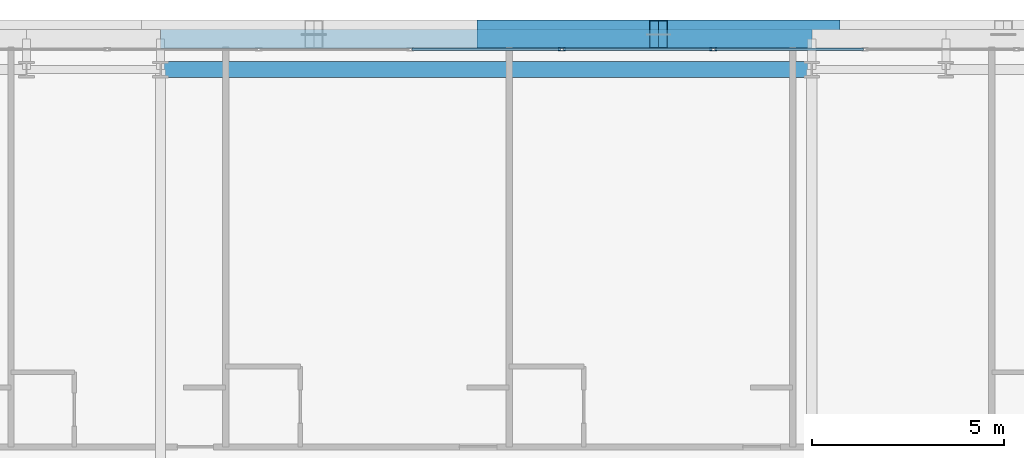
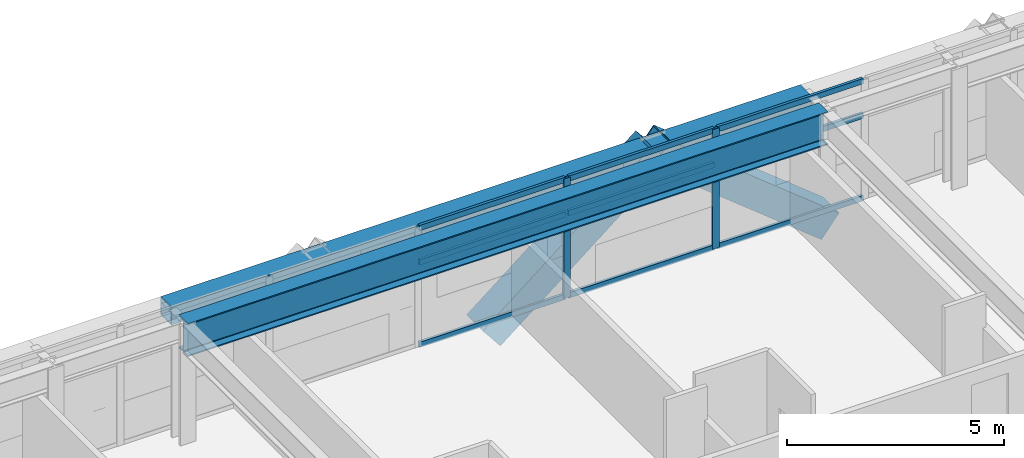
# One storey, part 19 of 35: 13 members, 2 beams, 1 element without a shape of its own.
"""IFC4 building model written with IfcOpenShell, lengths in metres."""

from ifc_helpers import new_model, si_unit, direction, frame, origin, origin_2d, place, context, subcontext, project, spatial, hollow_rectangle, i_section, extrude, source, transform, mapped, material, layer, layer_set, material_profile, profile_set, type_object, element, aggregate, save


model = new_model("IFC4")

# Units and contexts
model_context = context("Model", 3, precision=1e-05, world=origin(), true_north=direction((0.0, 1.0)))
body_context = subcontext(model_context, "Body", "Model", "MODEL_VIEW")
ifc_project = project(units=[si_unit("LENGTHUNIT", "METRE"), si_unit("AREAUNIT", "SQUARE_METRE"), si_unit("VOLUMEUNIT", "CUBIC_METRE"), si_unit("PLANEANGLEUNIT", "RADIAN"), si_unit("MASSUNIT", "GRAM", prefix="KILO")], contexts=[model_context])

# Site, building, storey
site_placement = place(None, origin())
site = spatial("IfcSite", under=ifc_project, at=site_placement, CompositionType="ELEMENT")
building_placement = place(site_placement, origin())
building = spatial("IfcBuilding", under=site, at=building_placement, Name="Ocotamira Hotel", CompositionType="ELEMENT")
storey_placement = place(building_placement, frame((0.0, 0.0, 140.39990234375)))
storey = spatial("IfcBuildingStorey", under=building, at=storey_placement, Name="L35", CompositionType="ELEMENT", Elevation=140.39990234375)

# Beams
ifc_material_1 = material(Name="Steel ASTM A992 Grade 50", Category="steel")
ifc_material_profile_1 = material_profile(ifc_material_1, i_section(OverallWidth=0.41796875, OverallDepth=0.927001953125, WebThickness=0.019287109375, FlangeThickness=0.031982421875, FilletRadius=0.02392578125, at=origin_2d()), Name="W36X231")
ifc_profile_set_1 = profile_set([ifc_material_profile_1], Name="Steel ASTM A992 Grade 50")
beam_type_1 = type_object("IfcBeamType", Name="BM-GIRD-W36X231", PredefinedType="BEAM", material=ifc_profile_set_1)
shared_shape_1 = source(origin(), body_context, "Body", "SweptSolid", [
    extrude(i_section(OverallWidth=0.41796875, OverallDepth=0.927001953125, WebThickness=0.019287109375, FlangeThickness=0.031982421875, FilletRadius=0.02392578125, at=origin_2d()), origin(), (0.0, 0.0, 1.0), 17.0),
])
beam_1_placement = place(storey_placement, frame((23.5, 49.050048828125, 2.896484375), z_axis=(1.0, 0.0, 0.0), x_axis=(0.0, 1.0, 0.0)))
element("IfcBeam", 1, at=beam_1_placement, inside=storey, type_object=beam_type_1, Name="L35 Girder Y49.05 X23.5-40.5", PredefinedType="BEAM", context=body_context, shape_type="MappedRepresentation", body=[
    mapped(shared_shape_1, transform((0.0, 0.0, 0.0), scale=1.0)),
])
ifc_material_2 = material(Name="Steel ASTM A500 Grade C", Category="steel")
ifc_material_profile_2 = material_profile(ifc_material_2, hollow_rectangle(XDim=0.5, YDim=0.5, WallThickness=0.02001953125, at=origin_2d()), Name="HSS500X500X20")
ifc_profile_set_2 = profile_set([ifc_material_profile_2], Name="Steel ASTM A500 Grade C")
beam_type_2 = type_object("IfcBeamType", Name="BM-SPAN-HSS500", PredefinedType="USERDEFINED", material=ifc_profile_set_2)
shared_shape_2 = source(origin(), body_context, "Body", "SweptSolid", [
    extrude(hollow_rectangle(XDim=0.5, YDim=0.5, WallThickness=0.02001953125, at=origin_2d()), origin(), (0.0, 0.0, 1.0), 17.0),
])
beam_2_placement = place(storey_placement, frame((23.5, 49.85009765625, 3.110107421875), z_axis=(1.0, 0.0, 0.0), x_axis=(0.0, 1.0, 0.0)))
element("IfcBeam", 2, at=beam_2_placement, inside=storey, type_object=beam_type_2, Name="L35 Edge Spandrel N X23.5-40.5", ObjectType="SPANDREL", PredefinedType="USERDEFINED", context=body_context, shape_type="MappedRepresentation", body=[
    mapped(shared_shape_2, transform((0.0, 0.0, 0.0), scale=1.0)),
])

# Members
ifc_material_3 = material(Name="Pale-metal coated steel ASTM A913 Grade 65", Category="steel")
ifc_material_profile_3 = material_profile(ifc_material_3, hollow_rectangle(XDim=0.75, YDim=0.75, WallThickness=0.028076171875, at=origin_2d()), Name="BOX750X750X28")
ifc_profile_set_3 = profile_set([ifc_material_profile_3], Name="Pale-metal coated steel ASTM A913 Grade 65")
member_type_1 = type_object("IfcMemberType", Name="MEM-EXO-BOX750", PredefinedType="BRACE", material=ifc_profile_set_3)
shared_shape_3 = source(origin(), body_context, "Body", "SweptSolid", [
    extrude(hollow_rectangle(XDim=0.75, YDim=0.75, WallThickness=0.028076171875, at=origin_2d()), origin(), (0.0, 0.0, 1.0), 5.762939453125),
])
for number, where, z_axis, x_axis, name in (
    (3, (32.0, 49.969970703125, -0.489990234375), (0.780860543151, 0.0, 0.624705380279), (0.0, 1.0, 0.0), "L35 Exoskeleton Diagrid N2.1"),
    (4, (41.0, 49.969970703125, -0.489990234375), (-0.780860543151, 0.0, 0.624705380279), (0.0, -1.0, 0.0), "L35 Exoskeleton Diagrid N2.2"),
):
    element("IfcMember", number, at=place(storey_placement, frame(where, z_axis=z_axis, x_axis=x_axis)), inside=storey, type_object=member_type_1, Name=name, PredefinedType="BRACE", context=body_context, shape_type="MappedRepresentation", body=[
        mapped(shared_shape_3, transform((0.0, 0.0, 0.0), scale=1.0)),
    ])

# Curtain wall, members
ifc_material_4 = material(Name="Anodised pale-metal aluminium and solar glass", Category="aluminium")
ifc_layer = layer(ifc_material_4, 0.179931640625)
ifc_layer_set = layer_set([ifc_layer], Name="Anodised pale-metal aluminium and solar glass")
curtain_wall_type = type_object("IfcCurtainWallType", Name="CW-SYS3-Z2", PredefinedType="NOTDEFINED", material=ifc_layer_set)
curtain_wall_placement = place(storey_placement, origin())
curtain_wall = element("IfcCurtainWall", 5, at=curtain_wall_placement, inside=storey, type_object=curtain_wall_type, Name="L35 Curtain Wall CW-3 CW-L35-N", PredefinedType="NOTDEFINED")
ifc_material_5 = material(Name="Anodised pale-metal aluminium 6063-T6", Category="aluminium")
ifc_material_profile_4 = material_profile(ifc_material_5, hollow_rectangle(XDim=0.074951171875, YDim=0.14990234375, WallThickness=0.006103515625, at=origin_2d()), Name="HSS150X75X6")
ifc_profile_set_4 = profile_set([ifc_material_profile_4], Name="Anodised pale-metal aluminium 6063-T6")
member_type_2 = type_object("IfcMemberType", Name="CWT-150X75", PredefinedType="USERDEFINED", material=ifc_profile_set_4)
shared_shape_4 = source(origin(), body_context, "Body", "SweptSolid", [
    extrude(hollow_rectangle(XDim=0.074951171875, YDim=0.14990234375, WallThickness=0.006103515625, at=origin_2d()), origin(), (0.0, 0.0, 1.0), 3.87548828125),
])
member_1_placement = place(storey_placement, frame((30.062255859375, 49.580078125, 0.03759765625), z_axis=(1.0, 0.0, 0.0), x_axis=(0.0, 1.0, 0.0)))
member_1 = element("IfcMember", 6, at=member_1_placement, type_object=member_type_2, Name="CW-3 transom 5.1", ObjectType="TRANSOM", PredefinedType="USERDEFINED", context=body_context, shape_type="MappedRepresentation", body=[
    mapped(shared_shape_4, transform((0.0, 0.0, 0.0), scale=1.0)),
])
member_2_placement = place(storey_placement, frame((30.062255859375, 49.580078125, 2.35009765625), z_axis=(1.0, 0.0, 0.0), x_axis=(0.0, 1.0, 0.0)))
member_2 = element("IfcMember", 7, at=member_2_placement, type_object=member_type_2, Name="CW-3 transom 5.2", ObjectType="TRANSOM", PredefinedType="USERDEFINED", context=body_context, shape_type="MappedRepresentation", body=[
    mapped(shared_shape_4, transform((0.0, 0.0, 0.0), scale=1.0)),
])
member_3_placement = place(storey_placement, frame((30.062255859375, 49.580078125, 3.322509765625), z_axis=(1.0, 0.0, 0.0), x_axis=(0.0, 1.0, 0.0)))
member_3 = element("IfcMember", 8, at=member_3_placement, type_object=member_type_2, Name="CW-3 transom 5.3", ObjectType="TRANSOM", PredefinedType="USERDEFINED", context=body_context, shape_type="MappedRepresentation", body=[
    mapped(shared_shape_4, transform((0.0, 0.0, 0.0), scale=1.0)),
])
member_4_placement = place(storey_placement, frame((34.017822265625, 49.580078125, 0.03759765625), z_axis=(1.0, 0.0, 0.0), x_axis=(0.0, 1.0, 0.0)))
member_4 = element("IfcMember", 9, at=member_4_placement, type_object=member_type_2, Name="CW-3 transom 6.1", ObjectType="TRANSOM", PredefinedType="USERDEFINED", context=body_context, shape_type="MappedRepresentation", body=[
    mapped(shared_shape_4, transform((0.0, 0.0, 0.0), scale=1.0)),
])
member_5_placement = place(storey_placement, frame((34.017822265625, 49.580078125, 2.35009765625), z_axis=(1.0, 0.0, 0.0), x_axis=(0.0, 1.0, 0.0)))
member_5 = element("IfcMember", 10, at=member_5_placement, type_object=member_type_2, Name="CW-3 transom 6.2", ObjectType="TRANSOM", PredefinedType="USERDEFINED", context=body_context, shape_type="MappedRepresentation", body=[
    mapped(shared_shape_4, transform((0.0, 0.0, 0.0), scale=1.0)),
])
member_6_placement = place(storey_placement, frame((34.017822265625, 49.580078125, 3.322509765625), z_axis=(1.0, 0.0, 0.0), x_axis=(0.0, 1.0, 0.0)))
member_6 = element("IfcMember", 11, at=member_6_placement, type_object=member_type_2, Name="CW-3 transom 6.3", ObjectType="TRANSOM", PredefinedType="USERDEFINED", context=body_context, shape_type="MappedRepresentation", body=[
    mapped(shared_shape_4, transform((0.0, 0.0, 0.0), scale=1.0)),
])
member_7_placement = place(storey_placement, frame((37.973388671875, 49.580078125, 0.03759765625), z_axis=(1.0, 0.0, 0.0), x_axis=(0.0, 1.0, 0.0)))
member_7 = element("IfcMember", 12, at=member_7_placement, type_object=member_type_2, Name="CW-3 transom 7.1", ObjectType="TRANSOM", PredefinedType="USERDEFINED", context=body_context, shape_type="MappedRepresentation", body=[
    mapped(shared_shape_4, transform((0.0, 0.0, 0.0), scale=1.0)),
])
member_8_placement = place(storey_placement, frame((37.973388671875, 49.580078125, 2.35009765625), z_axis=(1.0, 0.0, 0.0), x_axis=(0.0, 1.0, 0.0)))
member_8 = element("IfcMember", 13, at=member_8_placement, type_object=member_type_2, Name="CW-3 transom 7.2", ObjectType="TRANSOM", PredefinedType="USERDEFINED", context=body_context, shape_type="MappedRepresentation", body=[
    mapped(shared_shape_4, transform((0.0, 0.0, 0.0), scale=1.0)),
])
member_9_placement = place(storey_placement, frame((37.973388671875, 49.580078125, 3.322509765625), z_axis=(1.0, 0.0, 0.0), x_axis=(0.0, 1.0, 0.0)))
member_9 = element("IfcMember", 14, at=member_9_placement, type_object=member_type_2, Name="CW-3 transom 7.3", ObjectType="TRANSOM", PredefinedType="USERDEFINED", context=body_context, shape_type="MappedRepresentation", body=[
    mapped(shared_shape_4, transform((0.0, 0.0, 0.0), scale=1.0)),
])
ifc_material_profile_5 = material_profile(ifc_material_5, hollow_rectangle(XDim=0.080078125, YDim=0.179931640625, WallThickness=0.006103515625, at=origin_2d()), Name="HSS180X80X6")
ifc_profile_set_5 = profile_set([ifc_material_profile_5], Name="Anodised pale-metal aluminium 6063-T6")
member_type_3 = type_object("IfcMemberType", Name="CWM-180X75", PredefinedType="MULLION", material=ifc_profile_set_5)
shared_shape_5 = source(origin(), body_context, "Body", "SweptSolid", [
    extrude(hollow_rectangle(XDim=0.080078125, YDim=0.179931640625, WallThickness=0.006103515625, at=origin_2d()), origin(), (0.0, 0.0, 1.0), 3.360107421875),
])
member_10_placement = place(storey_placement, frame((33.977783203125, 49.580078125, 0.0), z_axis=(0.0, 0.0, 1.0), x_axis=(0.0, 1.0, 0.0)))
member_10 = element("IfcMember", 15, at=member_10_placement, type_object=member_type_3, Name="CW-3 mullion 6", PredefinedType="MULLION", context=body_context, shape_type="MappedRepresentation", body=[
    mapped(shared_shape_5, transform((0.0, 0.0, 0.0), scale=1.0)),
])
member_11_placement = place(storey_placement, frame((37.933349609375, 49.580078125, 0.0), z_axis=(0.0, 0.0, 1.0), x_axis=(0.0, 1.0, 0.0)))
member_11 = element("IfcMember", 16, at=member_11_placement, type_object=member_type_3, Name="CW-3 mullion 7", PredefinedType="MULLION", context=body_context, shape_type="MappedRepresentation", body=[
    mapped(shared_shape_5, transform((0.0, 0.0, 0.0), scale=1.0)),
])
aggregate(curtain_wall, [member_10, member_11, member_1, member_2, member_3, member_4, member_5, member_6, member_7, member_8, member_9])

save(model, "model.ifc")
